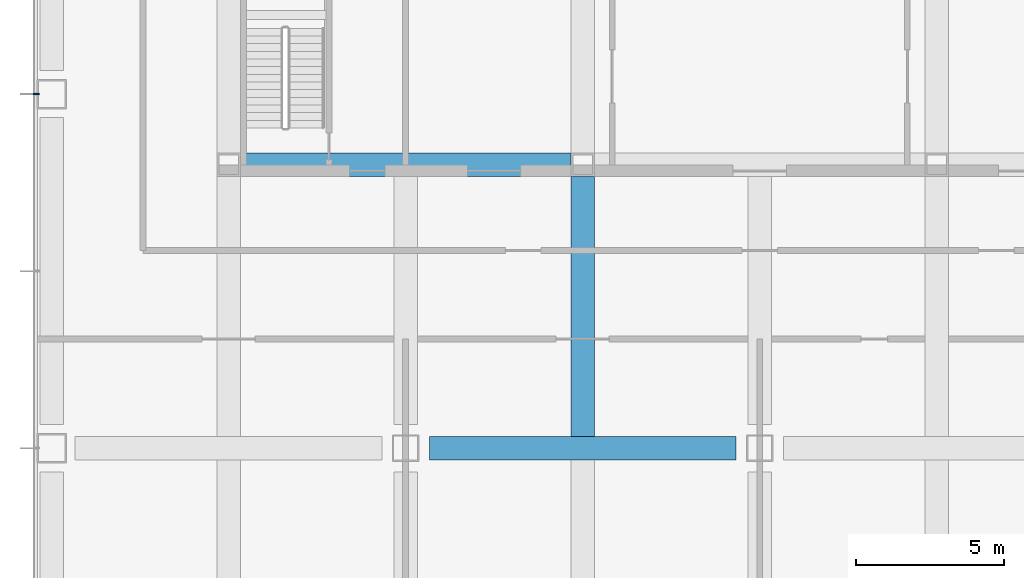
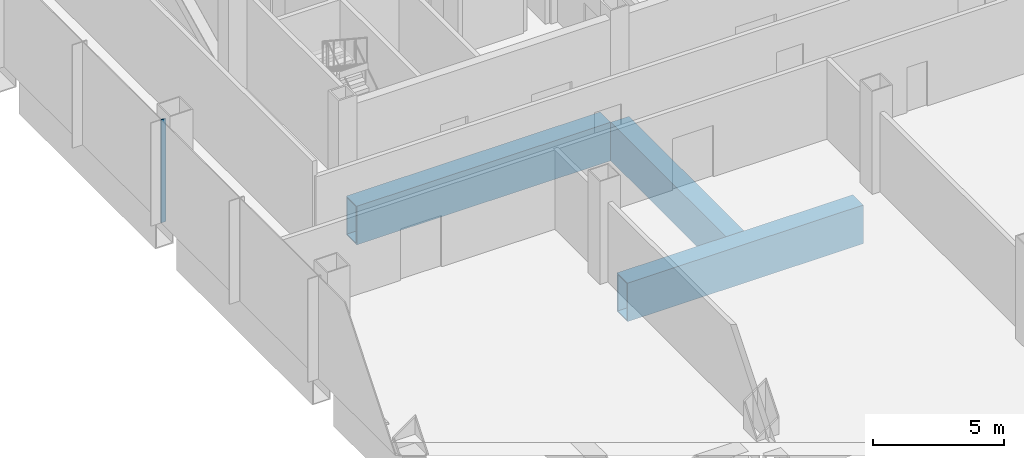
# One storey, part 6 of 34: 3 beams, 1 member, 1 element without a shape of its own.
"""IFC4 building model written with IfcOpenShell, lengths in metres."""

from ifc_helpers import new_model, si_unit, direction, frame, origin, origin_2d, place, context, subcontext, project, spatial, rectangle, hollow_rectangle, extrude, material, material_profile, profile_set, type_object, element, aggregate, save


model = new_model("IFC4")

# Units and contexts
model_context = context("Model", 3, precision=1e-05, world=origin(), true_north=direction((0.0, 1.0)))
body_context = subcontext(model_context, "Body", "Model", "MODEL_VIEW")
ifc_project = project(units=[si_unit("LENGTHUNIT", "METRE"), si_unit("AREAUNIT", "SQUARE_METRE"), si_unit("VOLUMEUNIT", "CUBIC_METRE"), si_unit("PLANEANGLEUNIT", "RADIAN"), si_unit("MASSUNIT", "GRAM", prefix="KILO")], contexts=[model_context])

# Site, building, storey
site_placement = place(None, origin())
site = spatial("IfcSite", under=ifc_project, at=site_placement, CompositionType="ELEMENT")
building_placement = place(site_placement, origin())
building = spatial("IfcBuilding", under=site, at=building_placement, Name="Sorahane Residences", CompositionType="ELEMENT")
storey_placement = place(building_placement, frame((0.0, 0.0, 20.39990234375)))
storey = spatial("IfcBuildingStorey", under=building, at=storey_placement, Name="L02", CompositionType="ELEMENT", Elevation=20.39990234375)

# Curtain wall, member
ifc_material_1 = material(Name="Dark low-e glass and black anodised aluminium", Category="aluminium")
curtain_wall_type = type_object("IfcCurtainWallType", Name="Curtain wall CW-3 Podium unitised wall", PredefinedType="NOTDEFINED", material=ifc_material_1)
curtain_wall_placement = place(storey_placement, origin())
curtain_wall = element("IfcCurtainWall", 1, at=curtain_wall_placement, inside=storey, type_object=curtain_wall_type, Name="CW-3 curtain wall L02 W1", PredefinedType="NOTDEFINED")
ifc_material_2 = material(Name="Black anodised aluminium", Category="aluminium")
ifc_material_profile_1 = material_profile(ifc_material_2, rectangle(XDim=0.199951171875, YDim=0.050048828125, at=origin_2d()), Name="Curtain wall mullion CW-3 black anodised aluminium 50x200")
ifc_profile_set_1 = profile_set([ifc_material_profile_1], Name="Black anodised aluminium")
member_type = type_object("IfcMemberType", Name="Curtain wall mullion CW-3 black anodised aluminium 50x200", PredefinedType="MULLION", material=ifc_profile_set_1)
member_placement = place(storey_placement, frame((-0.52001953125, 24.0, -0.39990234375), z_axis=(0.0, 0.0, 1.0), x_axis=(-1.0, 0.0, 0.0)))
member = element("IfcMember", 2, at=member_placement, type_object=member_type, Name="CW-3 mullion L02 W1.5", PredefinedType="MULLION", context=body_context, shape_type="SweptSolid", body=[
    extrude(rectangle(XDim=0.199951171875, YDim=0.050048828125, at=origin_2d()), origin(), (0.0, 0.0, 1.0), 4.800048828125),
])
aggregate(curtain_wall, [member])

# Beams
ifc_material_3 = material(Name="Steel Q420GJ", Category="steel")
ifc_material_profile_2 = material_profile(ifc_material_3, hollow_rectangle(XDim=0.800048828125, YDim=1.800048828125, WallThickness=0.050048828125, at=origin_2d()), Name="BOX 1800x800x50")
ifc_profile_set_2 = profile_set([ifc_material_profile_2], Name="Steel Q420GJ")
beam_type = type_object("IfcBeamType", Name="Steel transfer girder BOX 1800x800x50 Q420GJ", PredefinedType="BEAM", material=ifc_profile_set_2)
beam_1_placement = place(storey_placement, frame((12.800048828125, 12.0, -1.2998046875), z_axis=(1.0, 0.0, 0.0), x_axis=(0.0, 1.0, 0.0)))
element("IfcBeam", 3, at=beam_1_placement, inside=storey, type_object=beam_type, Name="Beam L02 007", PredefinedType="BEAM", context=body_context, shape_type="SweptSolid", body=[
    extrude(hollow_rectangle(XDim=0.800048828125, YDim=1.800048828125, WallThickness=0.050048828125, at=origin_2d()), origin(), (0.0, 0.0, 1.0), 10.39990234375),
])
beam_2_placement = place(storey_placement, frame((6.39990234375, 21.60009765625, -1.2998046875), z_axis=(1.0, 0.0, 0.0), x_axis=(0.0, 1.0, 0.0)))
element("IfcBeam", 4, at=beam_2_placement, inside=storey, type_object=beam_type, Name="Beam L02 021", PredefinedType="BEAM", context=body_context, shape_type="SweptSolid", body=[
    extrude(hollow_rectangle(XDim=0.800048828125, YDim=1.800048828125, WallThickness=0.050048828125, at=origin_2d()), origin(), (0.0, 0.0, 1.0), 11.2001953125),
])
beam_3_placement = place(storey_placement, frame((18.0, 12.39990234375, -1.2998046875), z_axis=(0.0, 1.0, 0.0), x_axis=(-1.0, 0.0, 0.0)))
element("IfcBeam", 5, at=beam_3_placement, inside=storey, type_object=beam_type, Name="Beam L02 062", PredefinedType="BEAM", context=body_context, shape_type="SweptSolid", body=[
    extrude(hollow_rectangle(XDim=0.800048828125, YDim=1.800048828125, WallThickness=0.050048828125, at=origin_2d()), origin(), (0.0, 0.0, 1.0), 8.800048828125),
])

save(model, "model.ifc")
